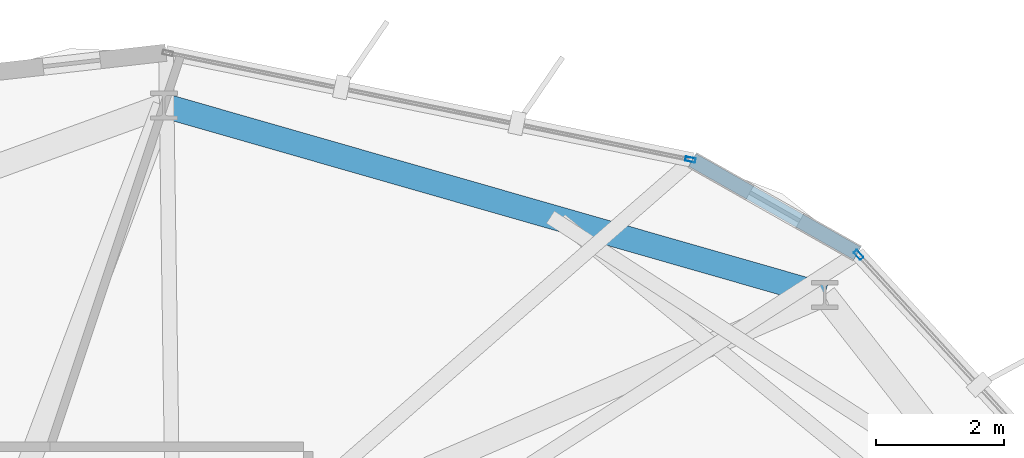
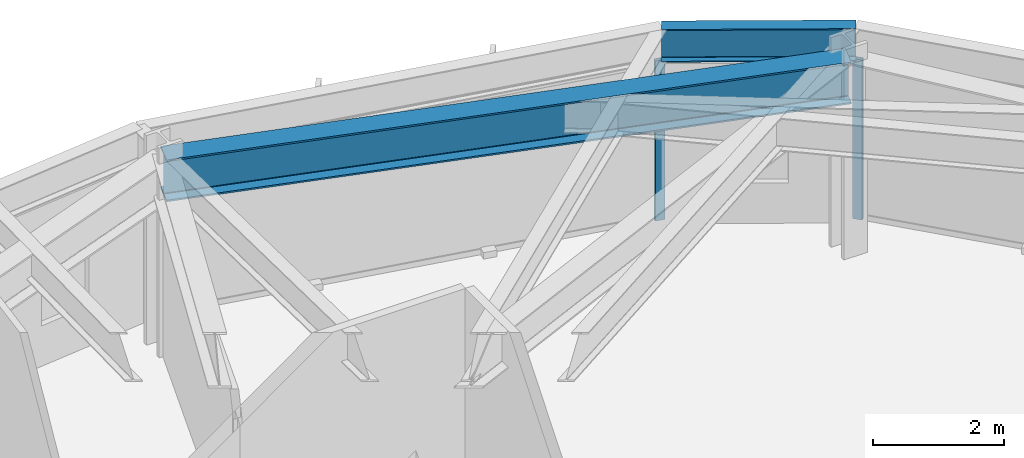
# One storey, part 16 of 23: 2 beams, 2 members, 2 elements without a shape of their own.
"""IFC4 building model written with IfcOpenShell, lengths in metres."""

import ifcopenshell
import ifcopenshell.guid

model = None  # the IFC model being written
_history = None  # IfcOwnerHistory: only IFC2X3 demands one
_inside = {}  # id of a spatial element -> (the spatial element, [elements in it])
_under = {}  # id of a project, library or spatial element -> (it, [spatial elements below it])
_declared = {}  # id of a project -> (the project, [libraries it declares])
_typed = {}  # id of a type object -> (the type object, [elements of that type])
_made_of = {}  # id of a material, layer set ... -> (it, [elements and type objects made of it])


def new_model(schema):
    """Start an empty IFC model of exactly this schema.

    Asked for "IFC4X3", IfcOpenShell would pick the latest addendum, in which some entities
    have other attributes; the version numbers below select the first issue.
    IFC2X3 requires an IfcOwnerHistory on every rooted entity: one is made here for all.
    """
    global model, _history
    if schema == "IFC4X3":
        model = ifcopenshell.file(schema_version=(4, 3, 0, 0))
    else:
        model = ifcopenshell.file(schema=schema)
    _inside.clear()
    _under.clear()
    _declared.clear()
    _typed.clear()
    _made_of.clear()
    _history = None
    if model.schema == "IFC2X3":
        org = make("IfcOrganization", Name="unknown")
        user = make(
            "IfcPersonAndOrganization",
            ThePerson=make("IfcPerson", FamilyName="unknown"),
            TheOrganization=org,
        )
        app = make(
            "IfcApplication",
            ApplicationDeveloper=org,
            Version="unknown",
            ApplicationFullName="unknown",
            ApplicationIdentifier="unknown",
        )
        _history = make(
            "IfcOwnerHistory",
            OwningUser=user,
            OwningApplication=app,
            ChangeAction="ADDED",
            CreationDate=0,
        )
    return model


def make(cls, **values):
    """One entity of the class cls with the attributes given. An attribute that is None is left unset."""
    return model.create_entity(
        cls, **{name: value for name, value in values.items() if value is not None}
    )


def rooted(cls, **values):
    """An entity with a GlobalId (a new one), such as an element, a storey or a relation."""
    return make(cls, GlobalId=ifcopenshell.guid.new(), OwnerHistory=_history, **values)


def si_unit(unit_type, name, prefix=None):
    """IfcSIUnit, for example si_unit("LENGTHUNIT", "METRE", prefix="MILLI")."""
    return make("IfcSIUnit", UnitType=unit_type, Prefix=prefix, Name=name)


def assignment(units):
    """IfcUnitAssignment: the units of a project."""
    return None if units is None else make("IfcUnitAssignment", Units=units)


def point(xyz):
    """IfcCartesianPoint."""
    return None if xyz is None else make("IfcCartesianPoint", Coordinates=xyz)


def direction(xyz):
    """IfcDirection."""
    return None if xyz is None else make("IfcDirection", DirectionRatios=xyz)


def frame(location, z_axis=None, x_axis=None):
    """IfcAxis2Placement3D, a coordinate frame: its origin and axes. An axis left out is left unset."""
    return make(
        "IfcAxis2Placement3D",
        Location=point(location),
        Axis=direction(z_axis),
        RefDirection=direction(x_axis),
    )


def frame_2d(location, x_axis=None):
    """IfcAxis2Placement2D, a coordinate frame in the plane: its origin and x axis."""
    return make(
        "IfcAxis2Placement2D", Location=point(location), RefDirection=direction(x_axis)
    )


def origin():
    """The frame at (0, 0, 0) with its axes left unset."""
    return frame((0.0, 0.0, 0.0))


def origin_2d():
    """The frame at (0, 0) in the plane with its x axis left unset."""
    return frame_2d((0.0, 0.0))


def place(relative_to, where):
    """IfcLocalPlacement: puts the frame where relative to a parent placement (None: the world)."""
    return make(
        "IfcLocalPlacement", PlacementRelTo=relative_to, RelativePlacement=where
    )


def context(
    kind, dimensions, precision=None, world=None, true_north=None, identifier=None
):
    """IfcGeometricRepresentationContext, for example the 3D "Model" context."""
    return make(
        "IfcGeometricRepresentationContext",
        ContextIdentifier=identifier,
        ContextType=kind,
        CoordinateSpaceDimension=dimensions,
        Precision=precision,
        WorldCoordinateSystem=world,
        TrueNorth=true_north,
    )


def subcontext(parent, identifier, kind, view, scale=None):
    """IfcGeometricRepresentationSubContext, for example "Body" below "Model"."""
    return make(
        "IfcGeometricRepresentationSubContext",
        ContextIdentifier=identifier,
        ContextType=kind,
        ParentContext=parent,
        TargetScale=scale,
        TargetView=view,
    )


def project(units=None, contexts=None):
    """IfcProject with its units and contexts."""
    return rooted(
        "IfcProject",
        Name="project",
        RepresentationContexts=contexts,
        UnitsInContext=assignment(units),
    )


def spatial(cls, under=None, at=None, **own):
    """A site, building, storey or space (cls), placed at a placement, below another one or the project."""
    s = rooted(cls, ObjectPlacement=at, **own)
    if under is not None:
        _under.setdefault(under.id(), (under, []))[1].append(s)
    return s


def profile(cls, at=None, kind="AREA", **sizes):
    """A parametric profile (cls). Its sizes go by their IFC names, for example OverallWidth=200.0."""
    return make(cls, ProfileType=kind, Position=at, **sizes)


def hollow_rectangle(**sizes):
    """IfcRectangleHollowProfileDef."""
    return profile("IfcRectangleHollowProfileDef", **sizes)


def i_section(**sizes):
    """IfcIShapeProfileDef."""
    return profile("IfcIShapeProfileDef", **sizes)


def extrude(swept, where, along, depth):
    """IfcExtrudedAreaSolid: the profile swept, set in the frame where, extruded along a direction by depth."""
    return make(
        "IfcExtrudedAreaSolid",
        SweptArea=swept,
        Position=where,
        ExtrudedDirection=direction(along),
        Depth=depth,
    )


def shape(context_of_items, identifier, shape_type, items):
    """IfcShapeRepresentation: the items that make up one representation, for example the "Body"."""
    return make(
        "IfcShapeRepresentation",
        ContextOfItems=context_of_items,
        RepresentationIdentifier=identifier,
        RepresentationType=shape_type,
        Items=items,
    )


def material(Name=None, Category=None):
    """IfcMaterial."""
    return make("IfcMaterial", Name=Name, Category=Category)


def layer(
    of_material, thickness, ventilated=None, Name=None, Category=None, Priority=None
):
    """IfcMaterialLayer: one layer of a wall or slab, of a material (None: an air gap)."""
    return make(
        "IfcMaterialLayer",
        Material=of_material,
        LayerThickness=thickness,
        IsVentilated=ventilated,
        Name=Name,
        Category=Category,
        Priority=Priority,
    )


def layer_set(layers, Name=None):
    """IfcMaterialLayerSet."""
    return make("IfcMaterialLayerSet", MaterialLayers=layers, LayerSetName=Name)


def material_profile(
    of_material, cross_section, Name=None, Category=None, Priority=None
):
    """IfcMaterialProfile: a cross section and its material."""
    return make(
        "IfcMaterialProfile",
        Name=Name,
        Material=of_material,
        Profile=cross_section,
        Priority=Priority,
        Category=Category,
    )


def profile_set(profiles, Name=None, composite=None):
    """IfcMaterialProfileSet."""
    return make(
        "IfcMaterialProfileSet",
        Name=Name,
        MaterialProfiles=profiles,
        CompositeProfile=composite,
    )


def made_of(thing, what):
    """Note that an element or type object is made of a material, layer set ...; save() writes the relation."""
    if what is not None:
        _made_of.setdefault(what.id(), (what, []))[1].append(thing)
    return thing


def type_object(cls, material=None, **own):
    """A type object (cls), such as IfcWallType, which elements share."""
    return made_of(rooted(cls, **own), material)


def element(
    cls,
    number,
    at=None,
    inside=None,
    cuts=None,
    type_object=None,
    material=None,
    context=None,
    identifier="Body",
    shape_type=None,
    held_by="IfcProductDefinitionShape",
    body=None,
    shapes=None,
    **own,
):
    """One element of the class cls, such as IfcWall. Its Tag is "e" and its number.

    at: its placement. inside: the storey or other place that contains it. cuts: it is an
    opening in that element (IfcRelVoidsElement). A single representation is given by context,
    identifier, shape_type and body (its items); several are given by shapes. held_by: the class
    of the entity that holds the representations. save() writes the other relations.
    """
    e = rooted(cls, Tag="e%d" % number, ObjectPlacement=at, **own)
    if body is not None:
        shapes = [shape(context, identifier, shape_type, body)]
    if shapes is not None:
        e.Representation = make(held_by, Representations=shapes)
    if inside is not None:
        _inside.setdefault(inside.id(), (inside, []))[1].append(e)
    if cuts is not None:
        rooted(
            "IfcRelVoidsElement", RelatingBuildingElement=cuts, RelatedOpeningElement=e
        )
    if type_object is not None:
        _typed.setdefault(type_object.id(), (type_object, []))[1].append(e)
    return made_of(e, material)


def aggregate(whole, parts):
    """IfcRelAggregates: a whole, such as a stair, and the parts it consists of."""
    return rooted("IfcRelAggregates", RelatingObject=whole, RelatedObjects=parts)


def save(model, path):
    """Write the relations noted so far, then the file.

    IfcRelAggregates (storeys below a building ...), IfcRelContainedInSpatialStructure (elements
    in a storey), IfcRelDefinesByType, IfcRelAssociatesMaterial and IfcRelDeclares: one each for
    every whole, place, type object, material and project.
    """
    for whole, parts in _under.values():
        aggregate(whole, parts)
    for where, things in _inside.values():
        rooted(
            "IfcRelContainedInSpatialStructure",
            RelatedElements=things,
            RelatingStructure=where,
        )
    for kind, things in _typed.values():
        rooted("IfcRelDefinesByType", RelatedObjects=things, RelatingType=kind)
    for what, things in _made_of.values():
        rooted("IfcRelAssociatesMaterial", RelatedObjects=things, RelatingMaterial=what)
    for by, libraries in _declared.values():
        rooted("IfcRelDeclares", RelatingContext=by, RelatedDefinitions=libraries)
    model.write(path)


model = new_model("IFC4")

# Units and contexts
model_context = context("Model", 3, precision=1e-05, world=origin(), true_north=direction((0.0, 1.0)))
body_context = subcontext(model_context, "Body", "Model", "MODEL_VIEW")
ifc_project = project(units=[si_unit("LENGTHUNIT", "METRE"), si_unit("AREAUNIT", "SQUARE_METRE"), si_unit("VOLUMEUNIT", "CUBIC_METRE"), si_unit("PLANEANGLEUNIT", "RADIAN"), si_unit("MASSUNIT", "GRAM", prefix="KILO")], contexts=[model_context])

# Site, building, storey
site_placement = place(None, origin())
site = spatial("IfcSite", under=ifc_project, at=site_placement, CompositionType="ELEMENT")
building_placement = place(site_placement, origin())
building = spatial("IfcBuilding", under=site, at=building_placement, Name="Soratama Intermodal Tower", CompositionType="ELEMENT")
storey_placement = place(building_placement, frame((0.0, 0.0, 122.5)))
storey = spatial("IfcBuildingStorey", under=building, at=storey_placement, Name="L29", CompositionType="ELEMENT", Elevation=122.5)

# Beams
ifc_material_1 = material(Name="Structural steel ASTM A992 Grade 50", Category="steel")
ifc_material_profile_1 = material_profile(ifc_material_1, i_section(OverallWidth=0.382080078125, OverallDepth=0.779052734375, WebThickness=0.01806640625, FlangeThickness=0.030029296875, FilletRadius=0.01806640625, at=origin_2d()), Name="W30X191")
ifc_profile_set_1 = profile_set([ifc_material_profile_1], Name="Structural steel ASTM A992 Grade 50")
beam_type_1 = type_object("IfcBeamType", Name="BM-RING-W30X191", PredefinedType="BEAM", material=ifc_profile_set_1)
beam_1_placement = place(storey_placement, frame((54.72998046875, 39.425048828125, 3.21044921875), z_axis=(-0.961266505995, 0.275620580604, 0.0), x_axis=(-0.275620580604, -0.961266505995, 0.0)))
element("IfcBeam", 1, at=beam_1_placement, inside=storey, type_object=beam_type_1, Name="BM-L29-RING-02", PredefinedType="BEAM", context=body_context, shape_type="SweptSolid", body=[
    extrude(i_section(OverallWidth=0.382080078125, OverallDepth=0.779052734375, WebThickness=0.01806640625, FlangeThickness=0.030029296875, FilletRadius=0.01806640625, at=origin_2d()), origin(), (0.0, 0.0, 1.0), 10.75341796875),
])
ifc_material_2 = material(Name="Structural steel ASTM A992 Grade 50", Category="steel")
ifc_material_profile_2 = material_profile(ifc_material_2, i_section(OverallWidth=0.22900390625, OverallDepth=0.612060546875, WebThickness=0.011962890625, FlangeThickness=0.01953125, FilletRadius=0.012939453125, at=origin_2d()), Name="W24X84")
ifc_profile_set_2 = profile_set([ifc_material_profile_2], Name="Structural steel ASTM A992 Grade 50")
beam_type_2 = type_object("IfcBeamType", Name="BM-SPN-W24X84", PredefinedType="SPANDREL", material=ifc_profile_set_2)
beam_2_placement = place(storey_placement, frame((55.240966796875, 40.075927734375, 3.2939453125), z_axis=(-0.87008572133, 0.492900433697, 0.0), x_axis=(-0.492900433697, -0.87008572133, 0.0)))
element("IfcBeam", 2, at=beam_2_placement, inside=storey, type_object=beam_type_2, Name="BS-L29-CRN01", PredefinedType="SPANDREL", context=body_context, shape_type="SweptSolid", body=[
    extrude(i_section(OverallWidth=0.22900390625, OverallDepth=0.612060546875, WebThickness=0.011962890625, FlangeThickness=0.01953125, FilletRadius=0.012939453125, at=origin_2d()), origin(), (0.0, 0.0, 1.0), 2.966552734375),
])

# Curtain wall, member
ifc_material_3 = material(Name="Double-glazed aluminium curtain wall", Category="aluminium")
ifc_layer = layer(ifc_material_3, 0.159912109375)
ifc_layer_set = layer_set([ifc_layer], Name="Double-glazed aluminium curtain wall")
curtain_wall_type = type_object("IfcCurtainWallType", Name="CW-SYS-3", PredefinedType="NOTDEFINED", material=ifc_layer_set)
curtain_wall_1_placement = place(storey_placement, origin())
curtain_wall_1 = element("IfcCurtainWall", 3, at=curtain_wall_1_placement, inside=storey, type_object=curtain_wall_type, Name="L29 Faceted Curtain Wall F01", PredefinedType="NOTDEFINED")
ifc_material_4 = material(Name="Anodised aluminium AA 6063-T6", Category="aluminium")
ifc_material_profile_3 = material_profile(ifc_material_4, hollow_rectangle(XDim=0.070068359375, YDim=0.159912109375, WallThickness=0.0048828125, InnerFilletRadius=0.0048828125, OuterFilletRadius=0.010009765625, at=origin_2d()), Name="CWM160X70X5")
ifc_profile_set_3 = profile_set([ifc_material_profile_3], Name="Anodised aluminium AA 6063-T6")
member_type = type_object("IfcMemberType", Name="MT-CWM-3", PredefinedType="MULLION", material=ifc_profile_set_3)
member_1_placement = place(storey_placement, frame((55.261474609375, 40.053955078125, 0.0), z_axis=(0.0, 0.0, 1.0), x_axis=(-0.737516021956, -0.675329636073, 0.0)))
member_1 = element("IfcMember", 4, at=member_1_placement, type_object=member_type, Name="CW-3 mullion 2", PredefinedType="MULLION", context=body_context, shape_type="SweptSolid", body=[
    extrude(hollow_rectangle(XDim=0.070068359375, YDim=0.159912109375, WallThickness=0.0048828125, InnerFilletRadius=0.0048828125, OuterFilletRadius=0.010009765625, at=origin_2d()), origin(), (0.0, 0.0, 1.0), 2.97900390625),
])
aggregate(curtain_wall_1, [member_1])

curtain_wall_2_placement = place(storey_placement, origin())
curtain_wall_2 = element("IfcCurtainWall", 5, at=curtain_wall_2_placement, inside=storey, type_object=curtain_wall_type, Name="L29 Faceted Curtain Wall F02", PredefinedType="NOTDEFINED")
member_2_placement = place(storey_placement, frame((52.63037109375, 41.5439453125, 0.0), z_axis=(0.0, 0.0, 1.0), x_axis=(-0.199709195068, -0.97985521247, 0.0)))
member_2 = element("IfcMember", 6, at=member_2_placement, type_object=member_type, Name="CW-3 mullion 1", PredefinedType="MULLION", context=body_context, shape_type="SweptSolid", body=[
    extrude(hollow_rectangle(XDim=0.070068359375, YDim=0.159912109375, WallThickness=0.0048828125, InnerFilletRadius=0.0048828125, OuterFilletRadius=0.010009765625, at=origin_2d()), origin(), (0.0, 0.0, 1.0), 2.97900390625),
])
aggregate(curtain_wall_2, [member_2])

save(model, "model.ifc")
